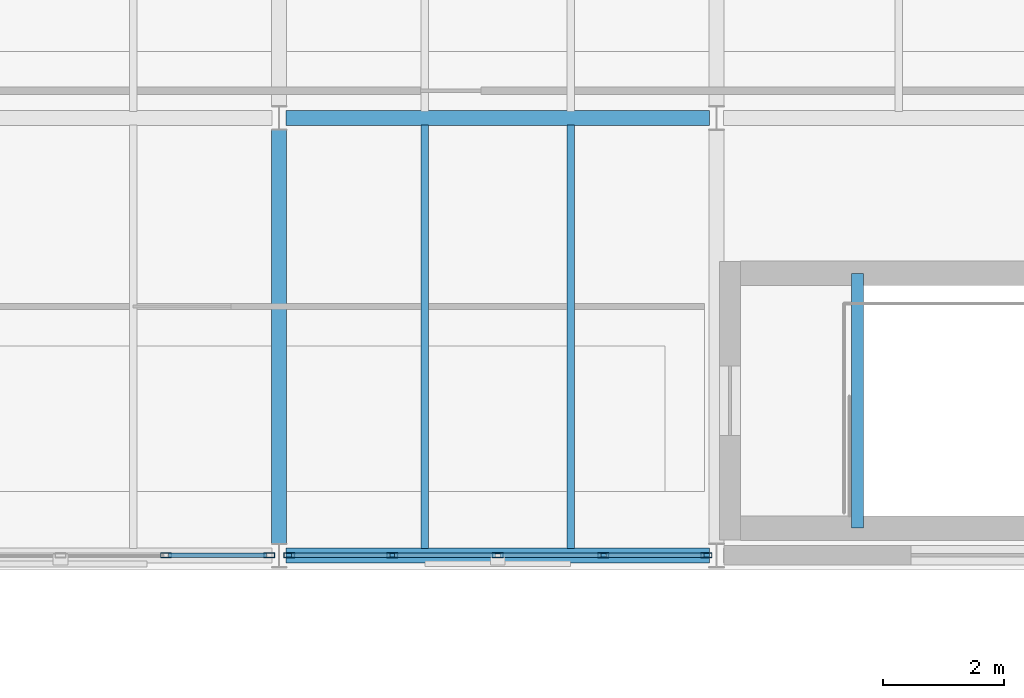
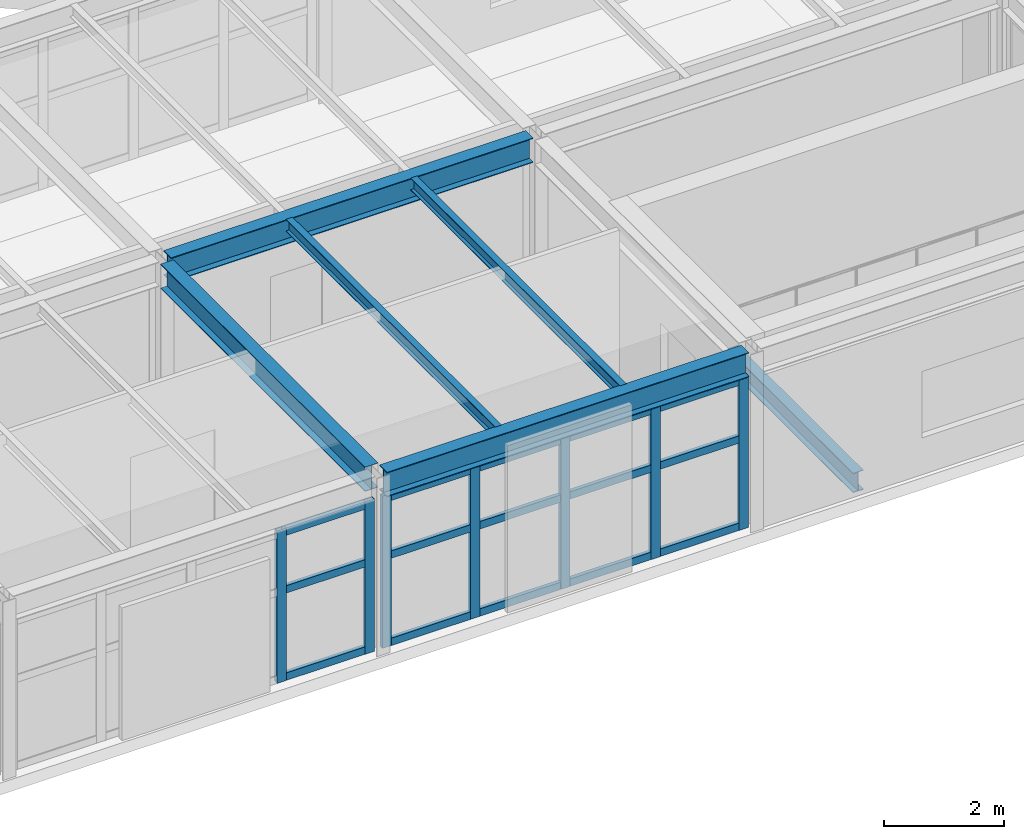
# One storey, part 21 of 48: 22 members, 6 beams, 2 elements without a shape of their own.
"""IFC4 building model written with IfcOpenShell, lengths in metres."""

from ifc_helpers import new_model, si_unit, direction, frame, origin, origin_2d, place, context, subcontext, project, spatial, hollow_rectangle, i_section, extrude, material, layer, layer_set, material_profile, profile_set, type_object, element, aggregate, save


model = new_model("IFC4")

# Units and contexts
model_context = context("Model", 3, precision=1e-05, world=origin(), true_north=direction((0.0, 1.0)))
body_context = subcontext(model_context, "Body", "Model", "MODEL_VIEW")
ifc_project = project(units=[si_unit("LENGTHUNIT", "METRE"), si_unit("AREAUNIT", "SQUARE_METRE"), si_unit("VOLUMEUNIT", "CUBIC_METRE"), si_unit("PLANEANGLEUNIT", "RADIAN"), si_unit("MASSUNIT", "GRAM", prefix="KILO")], contexts=[model_context])

# Site, building, storey
site_placement = place(None, origin())
site = spatial("IfcSite", under=ifc_project, at=site_placement, CompositionType="ELEMENT")
building_placement = place(site_placement, origin())
building = spatial("IfcBuilding", under=site, at=building_placement, Name="Kandorven Conservatory and Botanical Research Centre", CompositionType="ELEMENT")
storey_placement = place(building_placement, frame((0.0, 0.0, 13.199951171875)))
storey = spatial("IfcBuildingStorey", under=building, at=storey_placement, Name="L03", CompositionType="ELEMENT", Elevation=13.199951171875)

# Beams
ifc_material_1 = material(Name="Steel S355 (IS 2062 E350)", Category="steel")
ifc_material_profile_1 = material_profile(ifc_material_1, i_section(OverallWidth=0.25, OverallDepth=0.5, WebThickness=0.010009765625, FlangeThickness=0.0146484375, at=origin_2d()))
ifc_profile_set_1 = profile_set([ifc_material_profile_1], Name="Steel S355 (IS 2062 E350)")
beam_type_1 = type_object("IfcBeamType", Name="Beam_FG-02", PredefinedType="USERDEFINED", material=ifc_profile_set_1)
for number, where, z_axis, x_axis, name in (
    (1, (70.9150390625, 13.199951171875, 3.375), (1.0, 0.0, 0.0), (0.0, 1.0, 0.0), "Primary girder FG-02 VIS L03"),
    (2, (70.9150390625, 20.39990234375, 3.375), (1.0, 0.0, 0.0), (0.0, 1.0, 0.0), "Primary girder FG-02 VIS L03"),
):
    element("IfcBeam", number, at=place(storey_placement, frame(where, z_axis=z_axis, x_axis=x_axis)), inside=storey, type_object=beam_type_1, Name=name, ObjectType="GIRDER", PredefinedType="USERDEFINED", context=body_context, shape_type="SweptSolid", body=[
        extrude(i_section(OverallWidth=0.25, OverallDepth=0.5, WebThickness=0.010009765625, FlangeThickness=0.0146484375, at=origin_2d()), origin(), (0.0, 0.0, 1.0), 6.969970703125),
    ])
beam_1_placement = place(storey_placement, frame((70.800048828125, 13.389892578125, 3.375), z_axis=(0.0, 1.0, 0.0), x_axis=(-1.0, 0.0, 0.0)))
element("IfcBeam", 3, at=beam_1_placement, inside=storey, type_object=beam_type_1, Name="Primary girder FG-02 VIS L03", ObjectType="GIRDER", PredefinedType="USERDEFINED", context=body_context, shape_type="SweptSolid", body=[
    extrude(i_section(OverallWidth=0.25, OverallDepth=0.5, WebThickness=0.010009765625, FlangeThickness=0.0146484375, at=origin_2d()), origin(), (0.0, 0.0, 1.0), 6.820068359375),
])
ifc_material_2 = material(Name="Steel S355 (IS 2062 E350)", Category="steel")
ifc_material_profile_2 = material_profile(ifc_material_2, i_section(OverallWidth=0.199951171875, OverallDepth=0.39990234375, WebThickness=0.008544921875, FlangeThickness=0.012939453125, at=origin_2d()))
ifc_profile_set_2 = profile_set([ifc_material_profile_2], Name="Steel S355 (IS 2062 E350)")
beam_type_2 = type_object("IfcBeamType", Name="Beam_FG-03", PredefinedType="USERDEFINED", material=ifc_profile_set_2)
beam_2_placement = place(storey_placement, frame((80.320068359375, 13.64990234375, -0.199951171875), z_axis=(0.0, 1.0, 0.0), x_axis=(-1.0, 0.0, 0.0)))
element("IfcBeam", 4, at=beam_2_placement, inside=storey, type_object=beam_type_2, Name="Stair well bottom trimmer girder FG-03 ST-V3B L03", ObjectType="GIRDER", PredefinedType="USERDEFINED", context=body_context, shape_type="SweptSolid", body=[
    extrude(i_section(OverallWidth=0.199951171875, OverallDepth=0.39990234375, WebThickness=0.008544921875, FlangeThickness=0.012939453125, at=origin_2d()), origin(), (0.0, 0.0, 1.0), 4.190185546875),
])
ifc_material_3 = material(Name="Steel S355 (IS 2062 E350)", Category="steel")
ifc_material_profile_3 = material_profile(ifc_material_3, i_section(OverallWidth=0.125, OverallDepth=0.25, WebThickness=0.0068359375, FlangeThickness=0.012451171875, at=origin_2d()))
ifc_profile_set_3 = profile_set([ifc_material_profile_3], Name="Steel S355 (IS 2062 E350)")
beam_type_3 = type_object("IfcBeamType", Name="Beam_RJ-01", PredefinedType="JOIST", material=ifc_profile_set_3)
for number, where, z_axis, x_axis, name in (
    (5, (73.199951171875, 13.31005859375, 3.5), (0.0, 1.0, 0.0), (-1.0, 0.0, 0.0), "Composite secondary beam RJ-01 VIS L03"),
    (6, (75.60009765625, 13.31005859375, 3.5), (0.0, 1.0, 0.0), (-1.0, 0.0, 0.0), "Composite secondary beam RJ-01 VIS L03"),
):
    element("IfcBeam", number, at=place(storey_placement, frame(where, z_axis=z_axis, x_axis=x_axis)), inside=storey, type_object=beam_type_3, Name=name, PredefinedType="JOIST", context=body_context, shape_type="SweptSolid", body=[
        extrude(i_section(OverallWidth=0.125, OverallDepth=0.25, WebThickness=0.0068359375, FlangeThickness=0.012451171875, at=origin_2d()), origin(), (0.0, 0.0, 1.0), 6.97998046875),
    ])

# Curtain wall, members
ifc_material_4 = material(Name="Bronze anodised thermally broken aluminium", Category="aluminium")
ifc_layer = layer(ifc_material_4, 0.179931640625)
ifc_layer_set = layer_set([ifc_layer], Name="Bronze anodised thermally broken aluminium")
curtain_wall_type = type_object("IfcCurtainWallType", Name="CW_Unitised", PredefinedType="USERDEFINED", material=ifc_layer_set)
curtain_wall_1_placement = place(storey_placement, origin())
curtain_wall_1 = element("IfcCurtainWall", 7, at=curtain_wall_1_placement, inside=storey, type_object=curtain_wall_type, Name="Visitor wing unitised curtain wall CW-VIS-S-L03-4", ObjectType="UNITISED GLAZING", PredefinedType="USERDEFINED")
ifc_material_5 = material(Name="Bronze anodised thermally broken aluminium", Category="aluminium")
ifc_material_profile_4 = material_profile(ifc_material_5, hollow_rectangle(XDim=0.080078125, YDim=0.179931640625, WallThickness=0.006103515625, at=origin_2d()))
ifc_profile_set_4 = profile_set([ifc_material_profile_4], Name="Bronze anodised thermally broken aluminium")
member_type_1 = type_object("IfcMemberType", Name="CW_Mullion", PredefinedType="MULLION", material=ifc_profile_set_4)
member_1_placement = place(storey_placement, frame((68.9375, 13.199951171875, 0.0), z_axis=(0.0, 0.0, 1.0), x_axis=(0.0, 1.0, 0.0)))
member_1 = element("IfcMember", 8, at=member_1_placement, type_object=member_type_1, Name="CW-01 mullion 4", PredefinedType="MULLION", context=body_context, shape_type="SweptSolid", body=[
    extrude(hollow_rectangle(XDim=0.080078125, YDim=0.179931640625, WallThickness=0.006103515625, at=origin_2d()), origin(), (0.0, 0.0, 1.0), 3.10009765625),
])
member_2_placement = place(storey_placement, frame((70.635009765625, 13.199951171875, 0.0), z_axis=(0.0, 0.0, 1.0), x_axis=(0.0, 1.0, 0.0)))
member_2 = element("IfcMember", 9, at=member_2_placement, type_object=member_type_1, Name="CW-01 mullion 5", PredefinedType="MULLION", context=body_context, shape_type="SweptSolid", body=[
    extrude(hollow_rectangle(XDim=0.080078125, YDim=0.179931640625, WallThickness=0.006103515625, at=origin_2d()), origin(), (0.0, 0.0, 1.0), 3.10009765625),
])

curtain_wall_2_placement = place(storey_placement, origin())
curtain_wall_2 = element("IfcCurtainWall", 10, at=curtain_wall_2_placement, inside=storey, type_object=curtain_wall_type, Name="Visitor wing unitised curtain wall CW-VIS-S-L03-5", ObjectType="UNITISED GLAZING", PredefinedType="USERDEFINED")
member_3_placement = place(storey_placement, frame((70.965087890625, 13.199951171875, 0.0), z_axis=(0.0, 0.0, 1.0), x_axis=(0.0, 1.0, 0.0)))
member_3 = element("IfcMember", 11, at=member_3_placement, type_object=member_type_1, Name="CW-01 mullion 1", PredefinedType="MULLION", context=body_context, shape_type="SweptSolid", body=[
    extrude(hollow_rectangle(XDim=0.080078125, YDim=0.179931640625, WallThickness=0.006103515625, at=origin_2d()), origin(), (0.0, 0.0, 1.0), 3.10009765625),
])
member_4_placement = place(storey_placement, frame((72.66259765625, 13.199951171875, 0.0), z_axis=(0.0, 0.0, 1.0), x_axis=(0.0, 1.0, 0.0)))
member_4 = element("IfcMember", 12, at=member_4_placement, type_object=member_type_1, Name="CW-01 mullion 2", PredefinedType="MULLION", context=body_context, shape_type="SweptSolid", body=[
    extrude(hollow_rectangle(XDim=0.080078125, YDim=0.179931640625, WallThickness=0.006103515625, at=origin_2d()), origin(), (0.0, 0.0, 1.0), 3.10009765625),
])
member_5_placement = place(storey_placement, frame((74.39990234375, 13.199951171875, 0.0), z_axis=(0.0, 0.0, 1.0), x_axis=(0.0, 1.0, 0.0)))
member_5 = element("IfcMember", 13, at=member_5_placement, type_object=member_type_1, Name="CW-01 mullion 3", PredefinedType="MULLION", context=body_context, shape_type="SweptSolid", body=[
    extrude(hollow_rectangle(XDim=0.080078125, YDim=0.179931640625, WallThickness=0.006103515625, at=origin_2d()), origin(), (0.0, 0.0, 1.0), 3.10009765625),
])
member_6_placement = place(storey_placement, frame((76.137451171875, 13.199951171875, 0.0), z_axis=(0.0, 0.0, 1.0), x_axis=(0.0, 1.0, 0.0)))
member_6 = element("IfcMember", 14, at=member_6_placement, type_object=member_type_1, Name="CW-01 mullion 4", PredefinedType="MULLION", context=body_context, shape_type="SweptSolid", body=[
    extrude(hollow_rectangle(XDim=0.080078125, YDim=0.179931640625, WallThickness=0.006103515625, at=origin_2d()), origin(), (0.0, 0.0, 1.0), 3.10009765625),
])
member_7_placement = place(storey_placement, frame((77.8349609375, 13.199951171875, 0.0), z_axis=(0.0, 0.0, 1.0), x_axis=(0.0, 1.0, 0.0)))
member_7 = element("IfcMember", 15, at=member_7_placement, type_object=member_type_1, Name="CW-01 mullion 5", PredefinedType="MULLION", context=body_context, shape_type="SweptSolid", body=[
    extrude(hollow_rectangle(XDim=0.080078125, YDim=0.179931640625, WallThickness=0.006103515625, at=origin_2d()), origin(), (0.0, 0.0, 1.0), 3.10009765625),
])

# Member
ifc_material_6 = material(Name="Bronze anodised thermally broken aluminium", Category="aluminium")
ifc_material_profile_5 = material_profile(ifc_material_6, hollow_rectangle(XDim=0.074951171875, YDim=0.14990234375, WallThickness=0.006103515625, at=origin_2d()))
ifc_profile_set_5 = profile_set([ifc_material_profile_5], Name="Bronze anodised thermally broken aluminium")
member_type_2 = type_object("IfcMemberType", Name="CW_Transom", PredefinedType="USERDEFINED", material=ifc_profile_set_5)
member_8_placement = place(storey_placement, frame((68.9775390625, 13.199951171875, 0.074951171875), z_axis=(1.0, 0.0, 0.0), x_axis=(0.0, 1.0, 0.0)))
member_8 = element("IfcMember", 16, at=member_8_placement, type_object=member_type_2, Name="CW-01 transom 4.1", ObjectType="TRANSOM", PredefinedType="USERDEFINED", context=body_context, shape_type="SweptSolid", body=[
    extrude(hollow_rectangle(XDim=0.074951171875, YDim=0.14990234375, WallThickness=0.006103515625, at=origin_2d()), origin(), (0.0, 0.0, 1.0), 1.617431640625),
])

member_9_placement = place(storey_placement, frame((68.9775390625, 13.199951171875, 1.85009765625), z_axis=(1.0, 0.0, 0.0), x_axis=(0.0, 1.0, 0.0)))
member_9 = element("IfcMember", 17, at=member_9_placement, type_object=member_type_2, Name="CW-01 transom 4.2", ObjectType="TRANSOM", PredefinedType="USERDEFINED", context=body_context, shape_type="SweptSolid", body=[
    extrude(hollow_rectangle(XDim=0.074951171875, YDim=0.14990234375, WallThickness=0.006103515625, at=origin_2d()), origin(), (0.0, 0.0, 1.0), 1.617431640625),
])

member_10_placement = place(storey_placement, frame((68.9775390625, 13.199951171875, 3.025146484375), z_axis=(1.0, 0.0, 0.0), x_axis=(0.0, 1.0, 0.0)))
member_10 = element("IfcMember", 18, at=member_10_placement, type_object=member_type_2, Name="CW-01 transom 4.3", ObjectType="TRANSOM", PredefinedType="USERDEFINED", context=body_context, shape_type="SweptSolid", body=[
    extrude(hollow_rectangle(XDim=0.074951171875, YDim=0.14990234375, WallThickness=0.006103515625, at=origin_2d()), origin(), (0.0, 0.0, 1.0), 1.617431640625),
])

aggregate(curtain_wall_1, [member_1, member_2, member_8, member_9, member_10])

member_11_placement = place(storey_placement, frame((71.0048828125, 13.199951171875, 0.074951171875), z_axis=(1.0, 0.0, 0.0), x_axis=(0.0, 1.0, 0.0)))
member_11 = element("IfcMember", 19, at=member_11_placement, type_object=member_type_2, Name="CW-01 transom 1.1", ObjectType="TRANSOM", PredefinedType="USERDEFINED", context=body_context, shape_type="SweptSolid", body=[
    extrude(hollow_rectangle(XDim=0.074951171875, YDim=0.14990234375, WallThickness=0.006103515625, at=origin_2d()), origin(), (0.0, 0.0, 1.0), 1.61767578125),
])

member_12_placement = place(storey_placement, frame((71.0048828125, 13.199951171875, 1.85009765625), z_axis=(1.0, 0.0, 0.0), x_axis=(0.0, 1.0, 0.0)))
member_12 = element("IfcMember", 20, at=member_12_placement, type_object=member_type_2, Name="CW-01 transom 1.2", ObjectType="TRANSOM", PredefinedType="USERDEFINED", context=body_context, shape_type="SweptSolid", body=[
    extrude(hollow_rectangle(XDim=0.074951171875, YDim=0.14990234375, WallThickness=0.006103515625, at=origin_2d()), origin(), (0.0, 0.0, 1.0), 1.61767578125),
])

member_13_placement = place(storey_placement, frame((71.0048828125, 13.199951171875, 3.025146484375), z_axis=(1.0, 0.0, 0.0), x_axis=(0.0, 1.0, 0.0)))
member_13 = element("IfcMember", 21, at=member_13_placement, type_object=member_type_2, Name="CW-01 transom 1.3", ObjectType="TRANSOM", PredefinedType="USERDEFINED", context=body_context, shape_type="SweptSolid", body=[
    extrude(hollow_rectangle(XDim=0.074951171875, YDim=0.14990234375, WallThickness=0.006103515625, at=origin_2d()), origin(), (0.0, 0.0, 1.0), 1.61767578125),
])

member_14_placement = place(storey_placement, frame((72.702392578125, 13.199951171875, 0.074951171875), z_axis=(1.0, 0.0, 0.0), x_axis=(0.0, 1.0, 0.0)))
member_14 = element("IfcMember", 22, at=member_14_placement, type_object=member_type_2, Name="CW-01 transom 2.1", ObjectType="TRANSOM", PredefinedType="USERDEFINED", context=body_context, shape_type="SweptSolid", body=[
    extrude(hollow_rectangle(XDim=0.074951171875, YDim=0.14990234375, WallThickness=0.006103515625, at=origin_2d()), origin(), (0.0, 0.0, 1.0), 1.65771484375),
])

member_15_placement = place(storey_placement, frame((72.702392578125, 13.199951171875, 1.85009765625), z_axis=(1.0, 0.0, 0.0), x_axis=(0.0, 1.0, 0.0)))
member_15 = element("IfcMember", 23, at=member_15_placement, type_object=member_type_2, Name="CW-01 transom 2.2", ObjectType="TRANSOM", PredefinedType="USERDEFINED", context=body_context, shape_type="SweptSolid", body=[
    extrude(hollow_rectangle(XDim=0.074951171875, YDim=0.14990234375, WallThickness=0.006103515625, at=origin_2d()), origin(), (0.0, 0.0, 1.0), 1.65771484375),
])

member_16_placement = place(storey_placement, frame((72.702392578125, 13.199951171875, 3.025146484375), z_axis=(1.0, 0.0, 0.0), x_axis=(0.0, 1.0, 0.0)))
member_16 = element("IfcMember", 24, at=member_16_placement, type_object=member_type_2, Name="CW-01 transom 2.3", ObjectType="TRANSOM", PredefinedType="USERDEFINED", context=body_context, shape_type="SweptSolid", body=[
    extrude(hollow_rectangle(XDim=0.074951171875, YDim=0.14990234375, WallThickness=0.006103515625, at=origin_2d()), origin(), (0.0, 0.0, 1.0), 1.65771484375),
])

member_17_placement = place(storey_placement, frame((74.43994140625, 13.199951171875, 0.074951171875), z_axis=(1.0, 0.0, 0.0), x_axis=(0.0, 1.0, 0.0)))
member_17 = element("IfcMember", 25, at=member_17_placement, type_object=member_type_2, Name="CW-01 transom 3.1", ObjectType="TRANSOM", PredefinedType="USERDEFINED", context=body_context, shape_type="SweptSolid", body=[
    extrude(hollow_rectangle(XDim=0.074951171875, YDim=0.14990234375, WallThickness=0.006103515625, at=origin_2d()), origin(), (0.0, 0.0, 1.0), 1.657470703125),
])

member_18_placement = place(storey_placement, frame((74.43994140625, 13.199951171875, 1.85009765625), z_axis=(1.0, 0.0, 0.0), x_axis=(0.0, 1.0, 0.0)))
member_18 = element("IfcMember", 26, at=member_18_placement, type_object=member_type_2, Name="CW-01 transom 3.2", ObjectType="TRANSOM", PredefinedType="USERDEFINED", context=body_context, shape_type="SweptSolid", body=[
    extrude(hollow_rectangle(XDim=0.074951171875, YDim=0.14990234375, WallThickness=0.006103515625, at=origin_2d()), origin(), (0.0, 0.0, 1.0), 1.657470703125),
])

member_19_placement = place(storey_placement, frame((74.43994140625, 13.199951171875, 3.025146484375), z_axis=(1.0, 0.0, 0.0), x_axis=(0.0, 1.0, 0.0)))
member_19 = element("IfcMember", 27, at=member_19_placement, type_object=member_type_2, Name="CW-01 transom 3.3", ObjectType="TRANSOM", PredefinedType="USERDEFINED", context=body_context, shape_type="SweptSolid", body=[
    extrude(hollow_rectangle(XDim=0.074951171875, YDim=0.14990234375, WallThickness=0.006103515625, at=origin_2d()), origin(), (0.0, 0.0, 1.0), 1.657470703125),
])

member_20_placement = place(storey_placement, frame((76.177490234375, 13.199951171875, 0.074951171875), z_axis=(1.0, 0.0, 0.0), x_axis=(0.0, 1.0, 0.0)))
member_20 = element("IfcMember", 28, at=member_20_placement, type_object=member_type_2, Name="CW-01 transom 4.1", ObjectType="TRANSOM", PredefinedType="USERDEFINED", context=body_context, shape_type="SweptSolid", body=[
    extrude(hollow_rectangle(XDim=0.074951171875, YDim=0.14990234375, WallThickness=0.006103515625, at=origin_2d()), origin(), (0.0, 0.0, 1.0), 1.617431640625),
])

member_21_placement = place(storey_placement, frame((76.177490234375, 13.199951171875, 1.85009765625), z_axis=(1.0, 0.0, 0.0), x_axis=(0.0, 1.0, 0.0)))
member_21 = element("IfcMember", 29, at=member_21_placement, type_object=member_type_2, Name="CW-01 transom 4.2", ObjectType="TRANSOM", PredefinedType="USERDEFINED", context=body_context, shape_type="SweptSolid", body=[
    extrude(hollow_rectangle(XDim=0.074951171875, YDim=0.14990234375, WallThickness=0.006103515625, at=origin_2d()), origin(), (0.0, 0.0, 1.0), 1.617431640625),
])

member_22_placement = place(storey_placement, frame((76.177490234375, 13.199951171875, 3.025146484375), z_axis=(1.0, 0.0, 0.0), x_axis=(0.0, 1.0, 0.0)))
member_22 = element("IfcMember", 30, at=member_22_placement, type_object=member_type_2, Name="CW-01 transom 4.3", ObjectType="TRANSOM", PredefinedType="USERDEFINED", context=body_context, shape_type="SweptSolid", body=[
    extrude(hollow_rectangle(XDim=0.074951171875, YDim=0.14990234375, WallThickness=0.006103515625, at=origin_2d()), origin(), (0.0, 0.0, 1.0), 1.617431640625),
])

aggregate(curtain_wall_2, [member_3, member_4, member_5, member_6, member_7, member_11, member_12, member_13, member_14, member_15, member_16, member_17, member_18, member_19, member_20, member_21, member_22])

save(model, "model.ifc")
